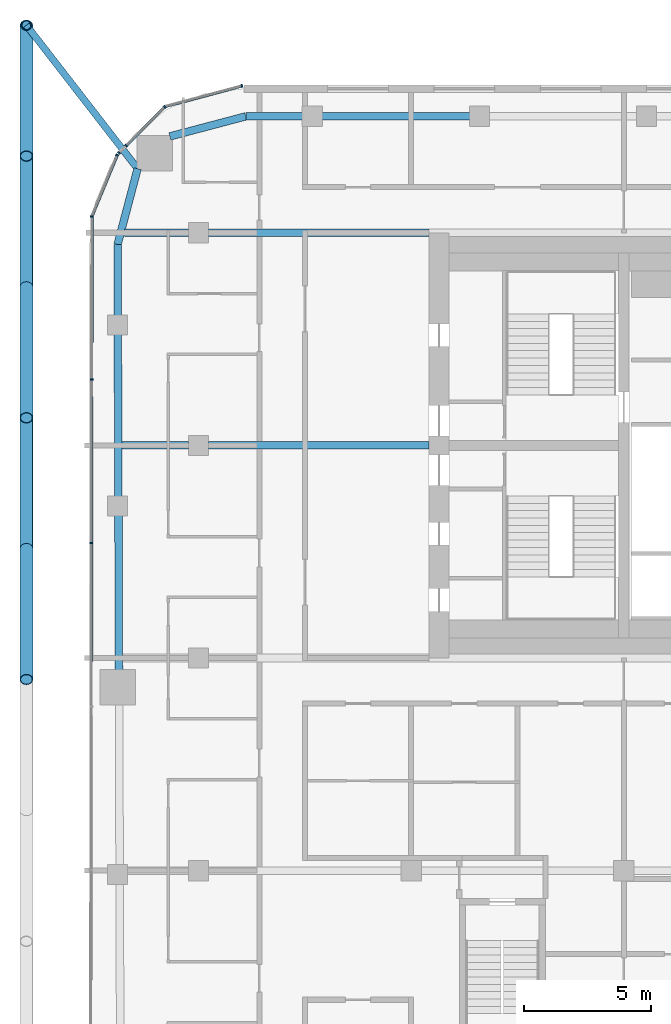
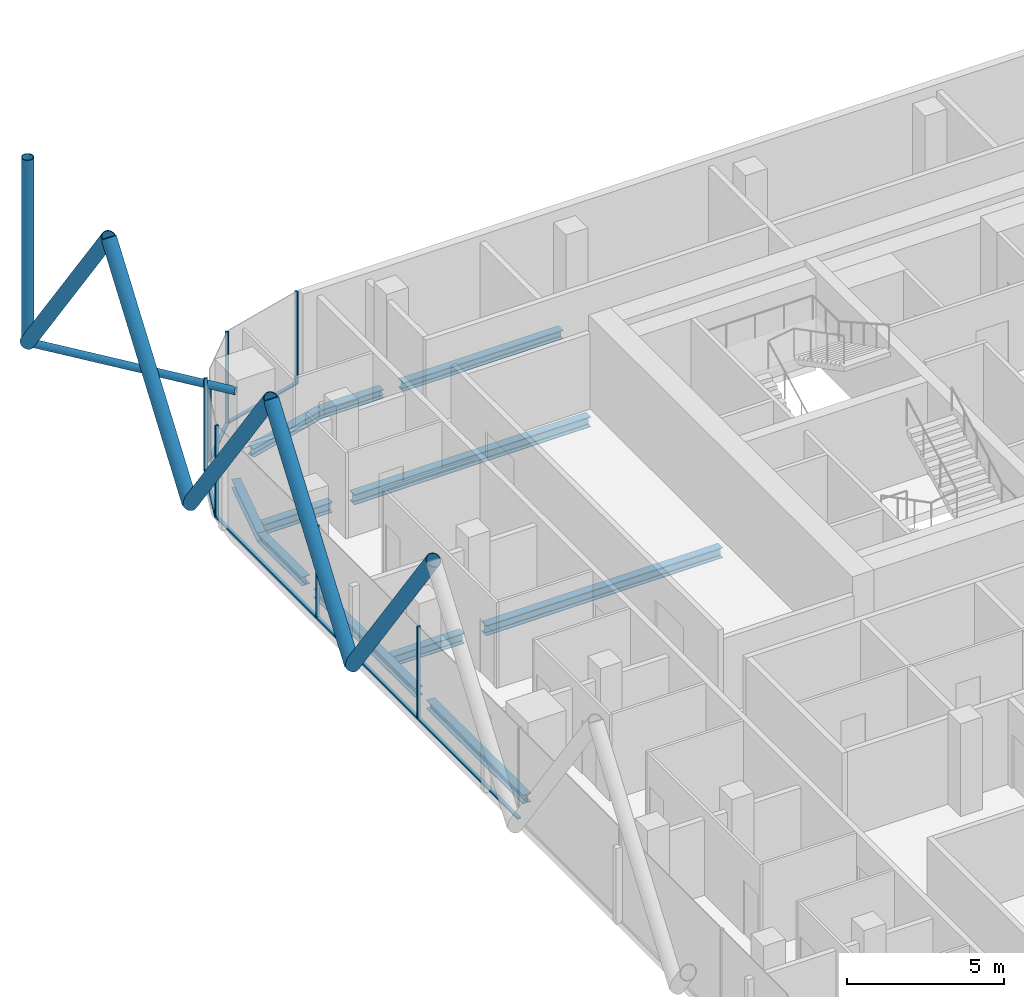
# One storey, part 8 of 28: 21 members, 11 beams, 5 elements without a shape of their own.
"""IFC4 building model written with IfcOpenShell, lengths in metres."""

from ifc_helpers import new_model, si_unit, direction, frame, origin, origin_2d, place, context, subcontext, project, spatial, rectangle, hollow_circle, i_section, extrude, material, layer, layer_set, material_profile, profile_set, type_object, element, aggregate, save


model = new_model("IFC4")

# Units and contexts
model_context = context("Model", 3, precision=1e-05, world=origin(), true_north=direction((0.0, 1.0)))
body_context = subcontext(model_context, "Body", "Model", "MODEL_VIEW")
ifc_project = project(units=[si_unit("LENGTHUNIT", "METRE"), si_unit("AREAUNIT", "SQUARE_METRE"), si_unit("VOLUMEUNIT", "CUBIC_METRE"), si_unit("PLANEANGLEUNIT", "RADIAN"), si_unit("MASSUNIT", "GRAM", prefix="KILO")], contexts=[model_context])

# Site, building, storey
site_placement = place(None, origin())
site = spatial("IfcSite", under=ifc_project, at=site_placement, CompositionType="ELEMENT")
building_placement = place(site_placement, origin())
building = spatial("IfcBuilding", under=site, at=building_placement, Name="Marenta Gate Hotel Tower", CompositionType="ELEMENT")
storey_placement = place(building_placement, frame((0.0, 0.0, 241.699951171875)))
storey = spatial("IfcBuildingStorey", under=building, at=storey_placement, Name="L57", CompositionType="ELEMENT", Elevation=241.699951171875)

# Members
ifc_material_1 = material(Name="Steel S355J2W", Category="steel")
ifc_material_profile_1 = material_profile(ifc_material_1, hollow_circle(Radius=0.203125, WallThickness=0.02490234375, at=origin_2d()), Name="CHS 406.4x25")
ifc_profile_set_1 = profile_set([ifc_material_profile_1], Name="Steel S355J2W")
member_type_1 = type_object("IfcMemberType", Name="Diagrid corner post Z3 CHS 406.4x25", PredefinedType="POST", material=ifc_profile_set_1)
member_1_placement = place(storey_placement, frame((-27.800048828125, 25.0, 3.14013671875), z_axis=(0.0, 0.0, 1.0), x_axis=(1.0, 0.0, 0.0)))
element("IfcMember", 1, at=member_1_placement, inside=storey, type_object=member_type_1, Name="L57-DR-6", PredefinedType="POST", context=body_context, shape_type="SweptSolid", body=[
    extrude(hollow_circle(Radius=0.203125, WallThickness=0.02490234375, at=origin_2d()), origin(), (0.0, 0.0, 1.0), 7.199951171875),
])
ifc_material_2 = material(Name="Steel S355J2W", Category="steel")
ifc_material_profile_2 = material_profile(ifc_material_2, hollow_circle(Radius=0.25390625, WallThickness=0.02490234375, at=origin_2d()), Name="CHS 508x25")
ifc_profile_set_2 = profile_set([ifc_material_profile_2], Name="Steel S355J2W")
member_type_2 = type_object("IfcMemberType", Name="Diagrid diagonal Z3 CHS 508x25", PredefinedType="BRACE", material=ifc_profile_set_2)
member_2_placement = place(storey_placement, frame((-27.800048828125, 4.31982421875, 3.14013671875), z_axis=(0.0, -0.583260841117, 0.812284919975), x_axis=(1.0, 0.0, 0.0)))
element("IfcMember", 2, at=member_2_placement, inside=storey, type_object=member_type_2, Name="L57-DG-30", PredefinedType="BRACE", context=body_context, shape_type="SweptSolid", body=[
    extrude(hollow_circle(Radius=0.25390625, WallThickness=0.02490234375, at=origin_2d()), origin(), (0.0, 0.0, 1.0), 8.86376953125),
])
member_3_placement = place(storey_placement, frame((-27.800048828125, 4.31982421875, 3.14013671875), z_axis=(0.0, 0.583279014058, 0.812271870595), x_axis=(-1.0, 0.0, 0.0)))
element("IfcMember", 3, at=member_3_placement, inside=storey, type_object=member_type_2, Name="L57-DG-31", PredefinedType="BRACE", context=body_context, shape_type="SweptSolid", body=[
    extrude(hollow_circle(Radius=0.25390625, WallThickness=0.02490234375, at=origin_2d()), origin(), (0.0, 0.0, 1.0), 8.864013671875),
])
member_4_placement = place(storey_placement, frame((-27.800048828125, 14.659912109375, 3.14013671875), z_axis=(0.0, -0.583260841117, 0.812284919975), x_axis=(1.0, 0.0, 0.0)))
element("IfcMember", 4, at=member_4_placement, inside=storey, type_object=member_type_2, Name="L57-DG-32", PredefinedType="BRACE", context=body_context, shape_type="SweptSolid", body=[
    extrude(hollow_circle(Radius=0.25390625, WallThickness=0.02490234375, at=origin_2d()), origin(), (0.0, 0.0, 1.0), 8.86376953125),
])
member_5_placement = place(storey_placement, frame((-27.800048828125, 14.659912109375, 3.14013671875), z_axis=(0.0, 0.583279014058, 0.812271870595), x_axis=(-1.0, 0.0, 0.0)))
element("IfcMember", 5, at=member_5_placement, inside=storey, type_object=member_type_2, Name="L57-DG-33", PredefinedType="BRACE", context=body_context, shape_type="SweptSolid", body=[
    extrude(hollow_circle(Radius=0.25390625, WallThickness=0.02490234375, at=origin_2d()), origin(), (0.0, 0.0, 1.0), 8.864013671875),
])
member_6_placement = place(storey_placement, frame((-27.800048828125, 25.0, 3.14013671875), z_axis=(0.0, -0.583260841117, 0.812284919975), x_axis=(1.0, 0.0, 0.0)))
element("IfcMember", 6, at=member_6_placement, inside=storey, type_object=member_type_2, Name="L57-DG-34", PredefinedType="BRACE", context=body_context, shape_type="SweptSolid", body=[
    extrude(hollow_circle(Radius=0.25390625, WallThickness=0.02490234375, at=origin_2d()), origin(), (0.0, 0.0, 1.0), 8.86376953125),
])

# Beams
ifc_material_3 = material(Name="Steel S355", Category="steel")
ifc_material_profile_3 = material_profile(ifc_material_3, i_section(OverallWidth=0.300048828125, OverallDepth=0.340087890625, WebThickness=0.011962890625, FlangeThickness=0.021484375, FilletRadius=0.027099609375, at=origin_2d()), Name="HEB 340")
ifc_profile_set_3 = profile_set([ifc_material_profile_3], Name="Steel S355")
beam_type_1 = type_object("IfcBeamType", Name="Edge beam HEB 340", PredefinedType="SPANDREL", material=ifc_profile_set_3)
beam_1_placement = place(storey_placement, frame((-24.14404296875, -0.489990234375, -0.429931640625), z_axis=(-0.003303859048, 0.999994542243, 0.0), x_axis=(-0.999994542243, -0.003303859048, 0.0)))
element("IfcBeam", 7, at=beam_1_placement, inside=storey, type_object=beam_type_1, Name="L57-EB-8", PredefinedType="SPANDREL", context=body_context, shape_type="SweptSolid", body=[
    extrude(i_section(OverallWidth=0.300048828125, OverallDepth=0.340087890625, WebThickness=0.011962890625, FlangeThickness=0.021484375, FilletRadius=0.027099609375, at=origin_2d()), origin(), (0.0, 0.0, 1.0), 6.13330078125),
])
beam_2_placement = place(storey_placement, frame((-24.166748046875, 6.36328125, -0.429931640625), z_axis=(-0.00333963982, 0.999994423387, 0.0), x_axis=(-0.999994423387, -0.00333963982, 0.0)))
element("IfcBeam", 8, at=beam_2_placement, inside=storey, type_object=beam_type_1, Name="L57-EB-9", PredefinedType="SPANDREL", context=body_context, shape_type="SweptSolid", body=[
    extrude(i_section(OverallWidth=0.300048828125, OverallDepth=0.340087890625, WebThickness=0.011962890625, FlangeThickness=0.021484375, FilletRadius=0.027099609375, at=origin_2d()), origin(), (0.0, 0.0, 1.0), 6.43310546875),
])
beam_3_placement = place(storey_placement, frame((-24.190673828125, 13.516357421875, -0.429931640625), z_axis=(-0.003292020626, 0.999994581285, 0.0), x_axis=(-0.999994581285, -0.003292020626, 0.0)))
element("IfcBeam", 9, at=beam_3_placement, inside=storey, type_object=beam_type_1, Name="L57-EB-10", PredefinedType="SPANDREL", context=body_context, shape_type="SweptSolid", body=[
    extrude(i_section(OverallWidth=0.300048828125, OverallDepth=0.340087890625, WebThickness=0.011962890625, FlangeThickness=0.021484375, FilletRadius=0.027099609375, at=origin_2d()), origin(), (0.0, 0.0, 1.0), 2.818115234375),
])
beam_4_placement = place(storey_placement, frame((-24.199951171875, 16.33447265625, -0.429931640625), z_axis=(0.255648013319, 0.966769927794, 0.0), x_axis=(-0.966769927794, 0.255648013319, 0.0)))
element("IfcBeam", 10, at=beam_4_placement, inside=storey, type_object=beam_type_1, Name="L57-EB-11", PredefinedType="SPANDREL", context=body_context, shape_type="SweptSolid", body=[
    extrude(i_section(OverallWidth=0.300048828125, OverallDepth=0.340087890625, WebThickness=0.011962890625, FlangeThickness=0.021484375, FilletRadius=0.027099609375, at=origin_2d()), origin(), (0.0, 0.0, 1.0), 3.100830078125),
])
beam_5_placement = place(storey_placement, frame((-22.132080078125, 20.607177734375, -0.429931640625), z_axis=(0.9667647815, 0.25566747398, 0.0), x_axis=(-0.25566747398, 0.9667647815, 0.0)))
element("IfcBeam", 11, at=beam_5_placement, inside=storey, type_object=beam_type_1, Name="L57-EB-12", PredefinedType="SPANDREL", context=body_context, shape_type="SweptSolid", body=[
    extrude(i_section(OverallWidth=0.300048828125, OverallDepth=0.340087890625, WebThickness=0.011962890625, FlangeThickness=0.021484375, FilletRadius=0.027099609375, at=origin_2d()), origin(), (0.0, 0.0, 1.0), 3.1005859375),
])
beam_6_placement = place(storey_placement, frame((-19.134521484375, 21.39990234375, -0.429931640625), z_axis=(1.0, 0.0, 0.0), x_axis=(0.0, 1.0, 0.0)))
element("IfcBeam", 12, at=beam_6_placement, inside=storey, type_object=beam_type_1, Name="L57-EB-13", PredefinedType="SPANDREL", context=body_context, shape_type="SweptSolid", body=[
    extrude(i_section(OverallWidth=0.300048828125, OverallDepth=0.340087890625, WebThickness=0.011962890625, FlangeThickness=0.021484375, FilletRadius=0.027099609375, at=origin_2d()), origin(), (0.0, 0.0, 1.0), 2.267578125),
])
beam_7_placement = place(storey_placement, frame((-16.14697265625, 21.39990234375, -0.429931640625), z_axis=(1.0, 0.0, 0.0), x_axis=(0.0, 1.0, 0.0)))
element("IfcBeam", 13, at=beam_7_placement, inside=storey, type_object=beam_type_1, Name="L57-EB-14", PredefinedType="SPANDREL", context=body_context, shape_type="SweptSolid", body=[
    extrude(i_section(OverallWidth=0.300048828125, OverallDepth=0.340087890625, WebThickness=0.011962890625, FlangeThickness=0.021484375, FilletRadius=0.027099609375, at=origin_2d()), origin(), (0.0, 0.0, 1.0), 5.8828125),
])

# Member
ifc_material_4 = material(Name="Steel S355J2W", Category="steel")
ifc_material_profile_4 = material_profile(ifc_material_4, hollow_circle(Radius=0.136474609375, WallThickness=0.012451171875, at=origin_2d()), Name="CHS 273x12.5")
ifc_profile_set_4 = profile_set([ifc_material_profile_4], Name="Steel S355J2W")
member_type_3 = type_object("IfcMemberType", Name="Floor tie CHS 273x12.5", PredefinedType="STRUT", material=ifc_profile_set_4)
member_7_placement = place(storey_placement, frame((-27.800048828125, 25.0, 3.14013671875), z_axis=(0.61259242592, -0.790398962363, 0.0), x_axis=(0.790398962363, 0.61259242592, 0.0)))
element("IfcMember", 14, at=member_7_placement, inside=storey, type_object=member_type_3, Name="L57-DR-12", PredefinedType="STRUT", context=body_context, shape_type="SweptSolid", body=[
    extrude(hollow_circle(Radius=0.136474609375, WallThickness=0.012451171875, at=origin_2d()), origin(), (0.0, 0.0, 1.0), 7.163330078125),
])

# Beams
ifc_material_5 = material(Name="Steel S355", Category="steel")
ifc_material_profile_5 = material_profile(ifc_material_5, i_section(OverallWidth=0.300048828125, OverallDepth=0.39990234375, WebThickness=0.013427734375, FlangeThickness=0.02392578125, FilletRadius=0.027099609375, at=origin_2d()), Name="HEB 400")
ifc_profile_set_5 = profile_set([ifc_material_profile_5], Name="Steel S355")
beam_type_2 = type_object("IfcBeamType", Name="Girder HEB 400", PredefinedType="BEAM", material=ifc_profile_set_5)
beam_8_placement = place(storey_placement, frame((-24.023681640625, 8.39990234375, -0.4599609375), z_axis=(1.0, 0.0, 0.0), x_axis=(0.0, 1.0, 0.0)))
element("IfcBeam", 15, at=beam_8_placement, inside=storey, type_object=beam_type_2, Name="L57-GD-25", PredefinedType="BEAM", context=body_context, shape_type="SweptSolid", body=[
    extrude(i_section(OverallWidth=0.300048828125, OverallDepth=0.39990234375, WebThickness=0.013427734375, FlangeThickness=0.02392578125, FilletRadius=0.027099609375, at=origin_2d()), origin(), (0.0, 0.0, 1.0), 2.623779296875),
])
beam_9_placement = place(storey_placement, frame((-20.60009765625, 8.39990234375, -0.4599609375), z_axis=(1.0, 0.0, 0.0), x_axis=(0.0, 1.0, 0.0)))
element("IfcBeam", 16, at=beam_9_placement, inside=storey, type_object=beam_type_2, Name="L57-GD-26", PredefinedType="BEAM", context=body_context, shape_type="SweptSolid", body=[
    extrude(i_section(OverallWidth=0.300048828125, OverallDepth=0.39990234375, WebThickness=0.013427734375, FlangeThickness=0.02392578125, FilletRadius=0.027099609375, at=origin_2d()), origin(), (0.0, 0.0, 1.0), 8.7001953125),
])
beam_10_placement = place(storey_placement, frame((-23.921630859375, 16.800048828125, -0.4599609375), z_axis=(1.0, 0.0, 0.0), x_axis=(0.0, 1.0, 0.0)))
element("IfcBeam", 17, at=beam_10_placement, inside=storey, type_object=beam_type_2, Name="L57-GD-29", PredefinedType="BEAM", context=body_context, shape_type="SweptSolid", body=[
    extrude(i_section(OverallWidth=0.300048828125, OverallDepth=0.39990234375, WebThickness=0.013427734375, FlangeThickness=0.02392578125, FilletRadius=0.027099609375, at=origin_2d()), origin(), (0.0, 0.0, 1.0), 2.521728515625),
])
beam_11_placement = place(storey_placement, frame((-20.60009765625, 16.800048828125, -0.4599609375), z_axis=(1.0, 0.0, 0.0), x_axis=(0.0, 1.0, 0.0)))
element("IfcBeam", 18, at=beam_11_placement, inside=storey, type_object=beam_type_2, Name="L57-GD-30", PredefinedType="BEAM", context=body_context, shape_type="SweptSolid", body=[
    extrude(i_section(OverallWidth=0.300048828125, OverallDepth=0.39990234375, WebThickness=0.013427734375, FlangeThickness=0.02392578125, FilletRadius=0.027099609375, at=origin_2d()), origin(), (0.0, 0.0, 1.0), 8.7001953125),
])

# Curtain wall, member
ifc_material_6 = material(Name="Tinted insulated glass in bronze anodised frame", Category="glass")
ifc_layer = layer(ifc_material_6, 0.1201171875)
ifc_layer_set = layer_set([ifc_layer], Name="Tinted insulated glass in bronze anodised frame")
curtain_wall_type = type_object("IfcCurtainWallType", Name="Tower unitised curtain wall CW1", PredefinedType="NOTDEFINED", material=ifc_layer_set)
curtain_wall_1_placement = place(storey_placement, origin())
curtain_wall_1 = element("IfcCurtainWall", 19, at=curtain_wall_1_placement, inside=storey, type_object=curtain_wall_type, Name="CW1 run G00", PredefinedType="NOTDEFINED")
ifc_material_7 = material(Name="Bronze anodised aluminium", Category="aluminium")
ifc_material_profile_6 = material_profile(ifc_material_7, rectangle(XDim=0.1201171875, YDim=0.06005859375, at=origin_2d()), Name="Mullion CW1 60x120 bronze anodised aluminium")
ifc_profile_set_6 = profile_set([ifc_material_profile_6], Name="Bronze anodised aluminium")
member_type_4 = type_object("IfcMemberType", Name="Mullion CW1 60x120 bronze anodised aluminium", PredefinedType="MULLION", material=ifc_profile_set_6)
member_8_placement = place(storey_placement, frame((-19.285400390625, 22.603271484375, 0.0), z_axis=(0.0, 0.0, 1.0), x_axis=(0.258801379183, -0.965930559685, 0.0)))
member_8 = element("IfcMember", 20, at=member_8_placement, type_object=member_type_4, Name="CW1 mullion 1", PredefinedType="MULLION", context=body_context, shape_type="SweptSolid", body=[
    extrude(rectangle(XDim=0.1201171875, YDim=0.06005859375, at=origin_2d()), origin(), (0.0, 0.0, 1.0), 3.60009765625),
])

curtain_wall_2_placement = place(storey_placement, origin())
curtain_wall_2 = element("IfcCurtainWall", 21, at=curtain_wall_2_placement, inside=storey, type_object=curtain_wall_type, Name="CW1 run G01", PredefinedType="NOTDEFINED")
member_9_placement = place(storey_placement, frame((-22.334228515625, 21.77099609375, 0.0), z_axis=(0.0, 0.0, 1.0), x_axis=(0.707106781187, -0.707106781187, 0.0)))
member_9 = element("IfcMember", 22, at=member_9_placement, type_object=member_type_4, Name="CW1 mullion 1", PredefinedType="MULLION", context=body_context, shape_type="SweptSolid", body=[
    extrude(rectangle(XDim=0.1201171875, YDim=0.06005859375, at=origin_2d()), origin(), (0.0, 0.0, 1.0), 3.60009765625),
])

# Curtain wall, members
curtain_wall_3_placement = place(storey_placement, origin())
curtain_wall_3 = element("IfcCurtainWall", 23, at=curtain_wall_3_placement, inside=storey, type_object=curtain_wall_type, Name="CW1 run G02", PredefinedType="NOTDEFINED")
member_10_placement = place(storey_placement, frame((-23.86328125, 20.24169921875, 0.0), z_axis=(0.0, 0.0, 1.0), x_axis=(0.707106781187, -0.707106781187, 0.0)))
member_10 = element("IfcMember", 24, at=member_10_placement, type_object=member_type_4, Name="CW1 mullion 1", PredefinedType="MULLION", context=body_context, shape_type="SweptSolid", body=[
    extrude(rectangle(XDim=0.1201171875, YDim=0.06005859375, at=origin_2d()), origin(), (0.0, 0.0, 1.0), 3.00048828125),
])
member_11_placement = place(storey_placement, frame((-24.143798828125, 19.961181640625, 0.0), z_axis=(0.0, 0.0, 1.0), x_axis=(0.707106781187, -0.707106781187, 0.0)))
member_11 = element("IfcMember", 25, at=member_11_placement, type_object=member_type_4, Name="CW1 mullion 2", PredefinedType="MULLION", context=body_context, shape_type="SweptSolid", body=[
    extrude(rectangle(XDim=0.1201171875, YDim=0.06005859375, at=origin_2d()), origin(), (0.0, 0.0, 1.0), 3.00048828125),
])
aggregate(curtain_wall_3, [member_10, member_11])

# Curtain wall, member
curtain_wall_4_placement = place(storey_placement, origin())
curtain_wall_4 = element("IfcCurtainWall", 26, at=curtain_wall_4_placement, inside=storey, type_object=curtain_wall_type, Name="CW1 run G03", PredefinedType="NOTDEFINED")
member_12_placement = place(storey_placement, frame((-24.215087890625, 19.87353515625, 0.0), z_axis=(0.0, 0.0, 1.0), x_axis=(0.923886433266, -0.382666772044, 0.0)))
member_12 = element("IfcMember", 27, at=member_12_placement, type_object=member_type_4, Name="CW1 mullion 1", PredefinedType="MULLION", context=body_context, shape_type="SweptSolid", body=[
    extrude(rectangle(XDim=0.1201171875, YDim=0.06005859375, at=origin_2d()), origin(), (0.0, 0.0, 1.0), 3.60009765625),
])

# Curtain wall, members
curtain_wall_5_placement = place(storey_placement, origin())
curtain_wall_5 = element("IfcCurtainWall", 28, at=curtain_wall_5_placement, inside=storey, type_object=curtain_wall_type, Name="CW1 run G04", PredefinedType="NOTDEFINED")
member_13_placement = place(storey_placement, frame((-25.21240234375, 17.436279296875, 0.0), z_axis=(0.0, 0.0, 1.0), x_axis=(0.99999877375, -0.001566045546, 0.0)))
member_13 = element("IfcMember", 29, at=member_13_placement, type_object=member_type_4, Name="CW1 mullion 1", PredefinedType="MULLION", context=body_context, shape_type="SweptSolid", body=[
    extrude(rectangle(XDim=0.1201171875, YDim=0.06005859375, at=origin_2d()), origin(), (0.0, 0.0, 1.0), 3.60009765625),
])
member_14_placement = place(storey_placement, frame((-25.222412109375, 11.006103515625, 0.0), z_axis=(0.0, 0.0, 1.0), x_axis=(0.99999877375, -0.001566045546, 0.0)))
member_14 = element("IfcMember", 30, at=member_14_placement, type_object=member_type_4, Name="CW1 mullion 2", PredefinedType="MULLION", context=body_context, shape_type="SweptSolid", body=[
    extrude(rectangle(XDim=0.1201171875, YDim=0.06005859375, at=origin_2d()), origin(), (0.0, 0.0, 1.0), 3.60009765625),
])
member_15_placement = place(storey_placement, frame((-25.232421875, 4.546142578125, 0.0), z_axis=(0.0, 0.0, 1.0), x_axis=(0.99999877375, -0.001566045546, 0.0)))
member_15 = element("IfcMember", 31, at=member_15_placement, type_object=member_type_4, Name="CW1 mullion 3", PredefinedType="MULLION", context=body_context, shape_type="SweptSolid", body=[
    extrude(rectangle(XDim=0.1201171875, YDim=0.06005859375, at=origin_2d()), origin(), (0.0, 0.0, 1.0), 3.60009765625),
])

# Member
ifc_material_8 = material(Name="Bronze anodised aluminium", Category="aluminium")
ifc_material_profile_7 = material_profile(ifc_material_8, rectangle(XDim=0.1201171875, YDim=0.06005859375, at=origin_2d()), Name="Transom CW1 60x120 bronze anodised aluminium")
ifc_profile_set_7 = profile_set([ifc_material_profile_7], Name="Bronze anodised aluminium")
member_type_5 = type_object("IfcMemberType", Name="Transom CW1 60x120 bronze anodised aluminium", PredefinedType="USERDEFINED", material=ifc_profile_set_7)
member_16_placement = place(storey_placement, frame((-19.314453125, 22.595458984375, 0.030029296875), z_axis=(-0.965924882171, -0.258822568574, 0.0), x_axis=(0.258822568574, -0.965924882171, 0.0)))
member_16 = element("IfcMember", 32, at=member_16_placement, type_object=member_type_5, Name="CW1 transom 1.1", ObjectType="TRANSOM", PredefinedType="USERDEFINED", context=body_context, shape_type="SweptSolid", body=[
    extrude(rectangle(XDim=0.1201171875, YDim=0.06005859375, at=origin_2d()), origin(), (0.0, 0.0, 1.0), 3.104248046875),
])

aggregate(curtain_wall_1, [member_8, member_16])

member_17_placement = place(storey_placement, frame((-22.355224609375, 21.749755859375, 0.030029296875), z_axis=(-0.707106781187, -0.707106781187, 0.0), x_axis=(0.707106781187, -0.707106781187, 0.0)))
member_17 = element("IfcMember", 33, at=member_17_placement, type_object=member_type_5, Name="CW1 transom 1.1", ObjectType="TRANSOM", PredefinedType="USERDEFINED", context=body_context, shape_type="SweptSolid", body=[
    extrude(rectangle(XDim=0.1201171875, YDim=0.06005859375, at=origin_2d()), origin(), (0.0, 0.0, 1.0), 2.102783203125),
])

aggregate(curtain_wall_2, [member_9, member_17])

member_18_placement = place(storey_placement, frame((-24.2265625, 19.845947265625, 0.030029296875), z_axis=(-0.382736860682, -0.923857399968, 0.0), x_axis=(0.923857399968, -0.382736860682, 0.0)))
member_18 = element("IfcMember", 34, at=member_18_placement, type_object=member_type_5, Name="CW1 transom 1.1", ObjectType="TRANSOM", PredefinedType="USERDEFINED", context=body_context, shape_type="SweptSolid", body=[
    extrude(rectangle(XDim=0.1201171875, YDim=0.06005859375, at=origin_2d()), origin(), (0.0, 0.0, 1.0), 2.57568359375),
])

aggregate(curtain_wall_4, [member_12, member_18])

member_19_placement = place(storey_placement, frame((-25.21240234375, 17.40625, 0.030029296875), z_axis=(-0.00157136093, -0.999998765412, 0.0), x_axis=(0.999998765412, -0.00157136093, 0.0)))
member_19 = element("IfcMember", 35, at=member_19_placement, type_object=member_type_5, Name="CW1 transom 1.1", ObjectType="TRANSOM", PredefinedType="USERDEFINED", context=body_context, shape_type="SweptSolid", body=[
    extrude(rectangle(XDim=0.1201171875, YDim=0.06005859375, at=origin_2d()), origin(), (0.0, 0.0, 1.0), 6.3701171875),
])

member_20_placement = place(storey_placement, frame((-25.222412109375, 10.976318359375, 0.030029296875), z_axis=(-0.001563988169, -0.99999877697, 0.0), x_axis=(0.99999877697, -0.001563988169, 0.0)))
member_20 = element("IfcMember", 36, at=member_20_placement, type_object=member_type_5, Name="CW1 transom 2.1", ObjectType="TRANSOM", PredefinedType="USERDEFINED", context=body_context, shape_type="SweptSolid", body=[
    extrude(rectangle(XDim=0.1201171875, YDim=0.06005859375, at=origin_2d()), origin(), (0.0, 0.0, 1.0), 6.400146484375),
])

member_21_placement = place(storey_placement, frame((-25.232666015625, 4.51611328125, 0.030029296875), z_axis=(-0.001564047831, -0.999998776876, 0.0), x_axis=(0.999998776876, -0.001564047831, 0.0)))
member_21 = element("IfcMember", 37, at=member_21_placement, type_object=member_type_5, Name="CW1 transom 3.1", ObjectType="TRANSOM", PredefinedType="USERDEFINED", context=body_context, shape_type="SweptSolid", body=[
    extrude(rectangle(XDim=0.1201171875, YDim=0.06005859375, at=origin_2d()), origin(), (0.0, 0.0, 1.0), 6.39990234375),
])

aggregate(curtain_wall_5, [member_13, member_14, member_15, member_19, member_20, member_21])

save(model, "model.ifc")
